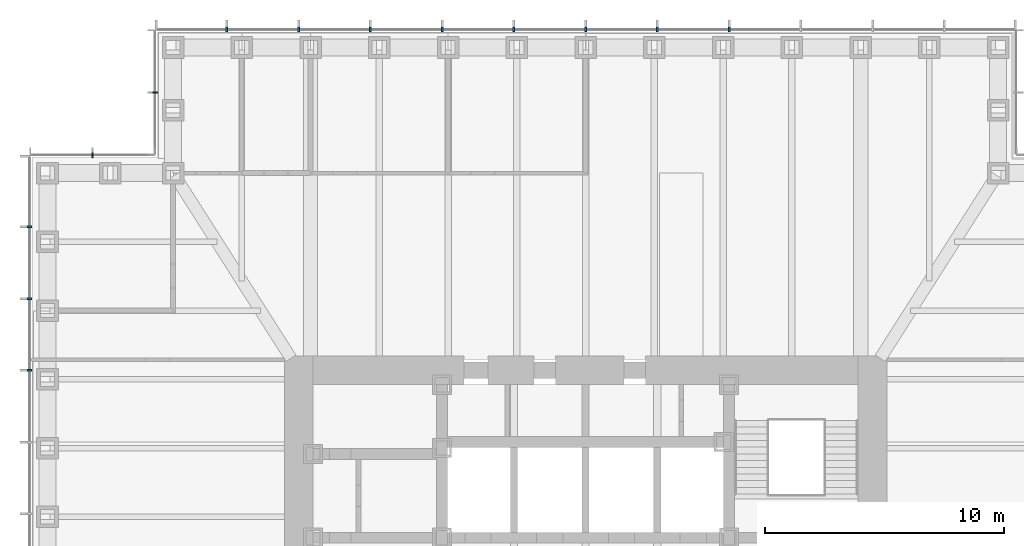
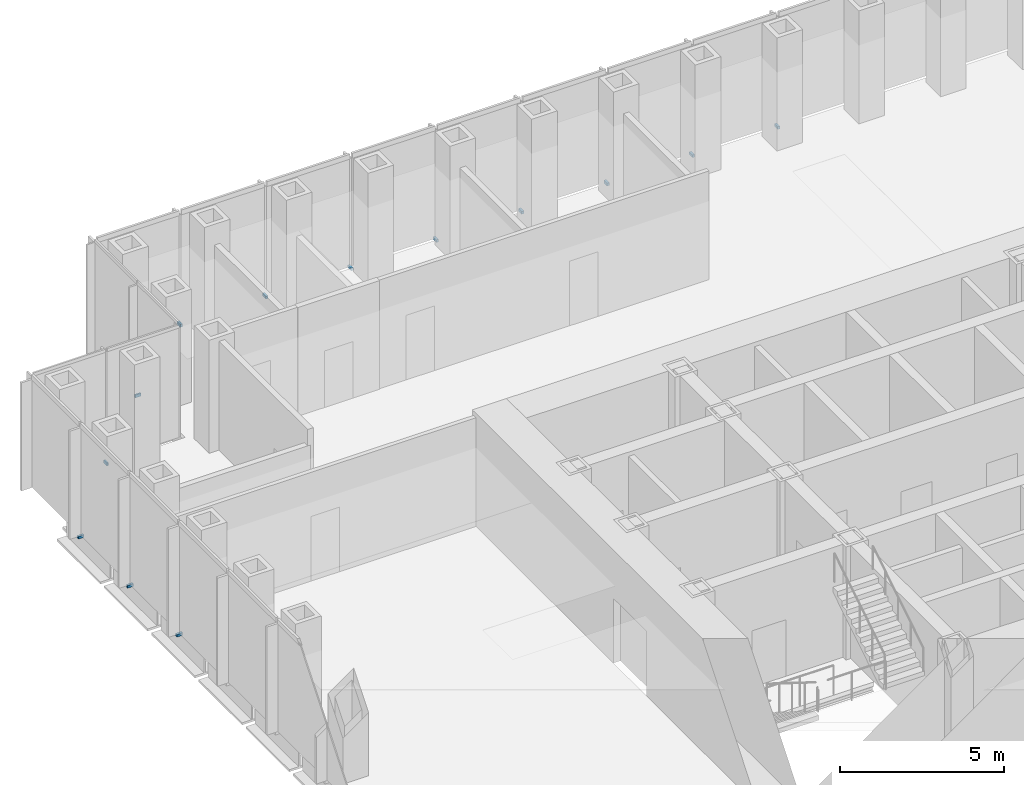
# One storey, part 14 of 16: 13 discrete accessories.
"""IFC4 building model written with IfcOpenShell, lengths in metres."""

from ifc_helpers import new_model, si_unit, direction, frame, origin, origin_2d, place, context, subcontext, project, spatial, rectangle, extrude, element, save


model = new_model("IFC4")

# Units and contexts
model_context = context("Model", 3, precision=1e-05, world=origin(), true_north=direction((0.0, 1.0)))
body_context = subcontext(model_context, "Body", "Model", "MODEL_VIEW")
ifc_project = project(units=[si_unit("LENGTHUNIT", "METRE"), si_unit("AREAUNIT", "SQUARE_METRE"), si_unit("VOLUMEUNIT", "CUBIC_METRE"), si_unit("PLANEANGLEUNIT", "RADIAN"), si_unit("MASSUNIT", "GRAM", prefix="KILO")], contexts=[model_context])

# Site, building, storey
site_placement = place(None, origin())
site = spatial("IfcSite", under=ifc_project, at=site_placement, CompositionType="ELEMENT")
building_placement = place(site_placement, origin())
building = spatial("IfcBuilding", under=site, at=building_placement, Name="Daluyong Arena Tower", CompositionType="ELEMENT")
storey_placement = place(building_placement, frame((0.0, 0.0, 133.300048828125)))
storey = spatial("IfcBuildingStorey", under=building, at=storey_placement, Name="L29", CompositionType="ELEMENT", Elevation=133.300048828125)

# Discrete accessories
for number, where, z_axis, x_axis, name in (
    (1, (62.0, 103.25, -0.10009765625), (0.0, 0.0, 1.0), (-1.0, 0.0, 0.0), "curtain wall L29 N anchor bracket 5"),
    (2, (59.0, 103.25, -0.10009765625), (0.0, 0.0, 1.0), (-1.0, 0.0, 0.0), "curtain wall L29 N anchor bracket 6"),
    (3, (56.0, 103.25, -0.10009765625), (0.0, 0.0, 1.0), (-1.0, 0.0, 0.0), "curtain wall L29 N anchor bracket 7"),
    (4, (53.0, 103.25, -0.10009765625), (0.0, 0.0, 1.0), (-1.0, 0.0, 0.0), "curtain wall L29 N anchor bracket 8"),
    (5, (50.0, 103.25, -0.10009765625), (0.0, 0.0, 1.0), (-1.0, 0.0, 0.0), "curtain wall L29 N anchor bracket 9"),
    (6, (47.0, 103.25, -0.10009765625), (0.0, 0.0, 1.0), (-1.0, 0.0, 0.0), "curtain wall L29 N anchor bracket 10"),
    (7, (44.0, 103.25, -0.10009765625), (0.0, 0.0, 1.0), (-1.0, 0.0, 0.0), "curtain wall L29 N anchor bracket 11"),
    (8, (41.0, 103.25, -0.10009765625), (0.0, 0.0, 1.0), (-1.0, 0.0, 0.0), "curtain wall L29 N anchor bracket 12"),
):
    element("IfcDiscreteAccessory", number, at=place(storey_placement, frame(where, z_axis=z_axis, x_axis=x_axis)), inside=storey, Name=name, PredefinedType="BRACKET", context=body_context, shape_type="SweptSolid", body=[
        extrude(rectangle(XDim=0.080078125, YDim=0.199951171875, at=origin_2d()), origin(), (0.0, 0.0, 1.0), 0.10009765625),
    ])
for number, where, z_axis, x_axis, name in (
    (9, (38.0, 100.625, -0.10009765625), (0.0, 0.0, 1.0), (0.0, -1.0, 0.0), "curtain wall L29 NW-W anchor bracket 2"),
    (10, (35.375, 98.0, -0.10009765625), (0.0, 0.0, 1.0), (-1.0, 0.0, 0.0), "curtain wall L29 NW-N anchor bracket 2"),
):
    element("IfcDiscreteAccessory", number, at=place(storey_placement, frame(where, z_axis=z_axis, x_axis=x_axis)), inside=storey, Name=name, PredefinedType="BRACKET", context=body_context, shape_type="SweptSolid", body=[
        extrude(rectangle(XDim=0.06005859375, YDim=0.199951171875, at=origin_2d()), origin(), (0.0, 0.0, 1.0), 0.10009765625),
    ])
for number, where, z_axis, x_axis, name in (
    (11, (32.75, 95.0, -0.10009765625), (0.0, 0.0, 1.0), (0.0, -1.0, 0.0), "curtain wall L29 W anchor bracket 2"),
    (12, (32.75, 92.0, -0.10009765625), (0.0, 0.0, 1.0), (0.0, -1.0, 0.0), "curtain wall L29 W anchor bracket 3"),
    (13, (32.75, 89.0, -0.10009765625), (0.0, 0.0, 1.0), (0.0, -1.0, 0.0), "curtain wall L29 W anchor bracket 4"),
):
    element("IfcDiscreteAccessory", number, at=place(storey_placement, frame(where, z_axis=z_axis, x_axis=x_axis)), inside=storey, Name=name, PredefinedType="BRACKET", context=body_context, shape_type="SweptSolid", body=[
        extrude(rectangle(XDim=0.080078125, YDim=0.199951171875, at=origin_2d()), origin(), (0.0, 0.0, 1.0), 0.10009765625),
    ])

save(model, "model.ifc")
